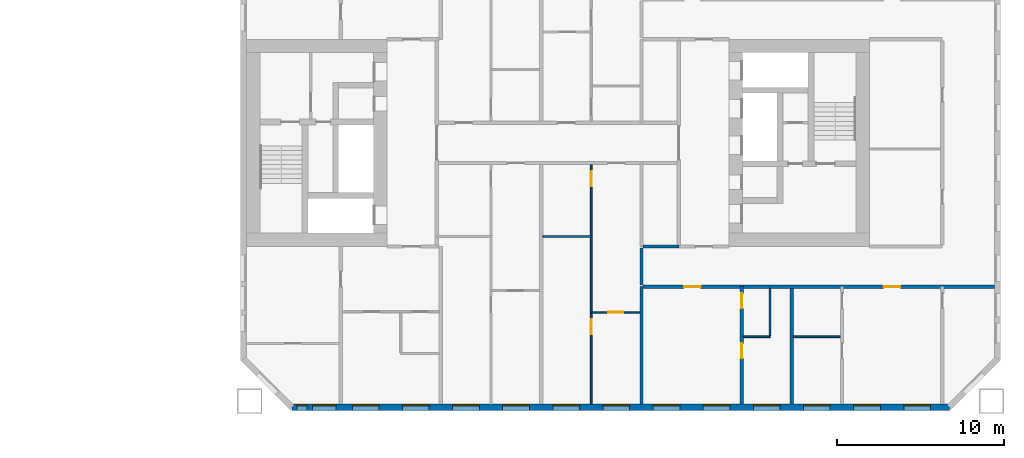
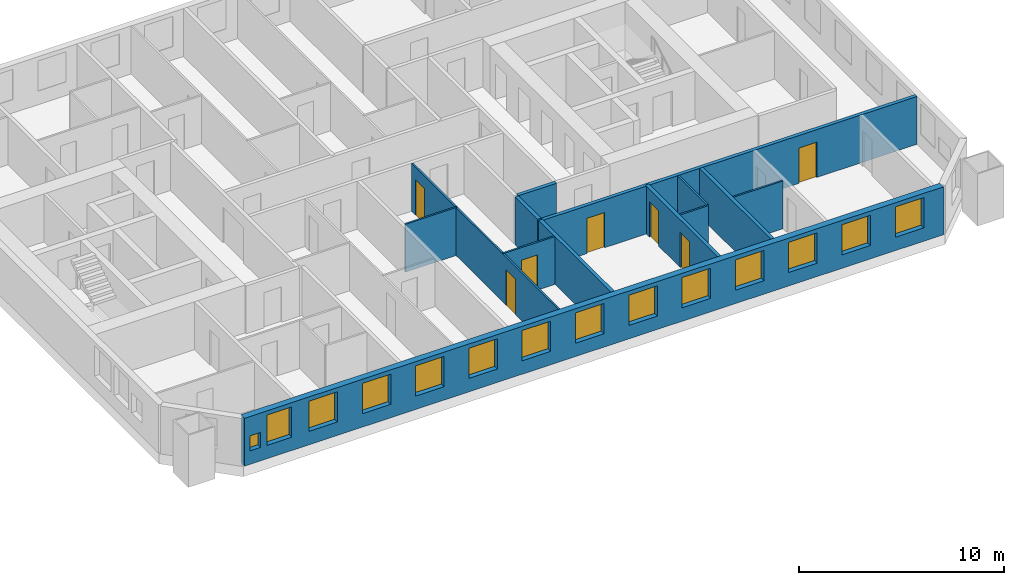
# One storey, part 11 of 17: 14 windows, 13 walls, 7 doors, 21 openings.
"""IFC4 building model written with IfcOpenShell, lengths in metres."""

import ifcopenshell
import ifcopenshell.guid

model = None  # the IFC model being written
_history = None  # IfcOwnerHistory: only IFC2X3 demands one
_inside = {}  # id of a spatial element -> (the spatial element, [elements in it])
_under = {}  # id of a project, library or spatial element -> (it, [spatial elements below it])
_declared = {}  # id of a project -> (the project, [libraries it declares])
_typed = {}  # id of a type object -> (the type object, [elements of that type])
_made_of = {}  # id of a material, layer set ... -> (it, [elements and type objects made of it])


def new_model(schema):
    """Start an empty IFC model of exactly this schema.

    Asked for "IFC4X3", IfcOpenShell would pick the latest addendum, in which some entities
    have other attributes; the version numbers below select the first issue.
    IFC2X3 requires an IfcOwnerHistory on every rooted entity: one is made here for all.
    """
    global model, _history
    if schema == "IFC4X3":
        model = ifcopenshell.file(schema_version=(4, 3, 0, 0))
    else:
        model = ifcopenshell.file(schema=schema)
    _inside.clear()
    _under.clear()
    _declared.clear()
    _typed.clear()
    _made_of.clear()
    _history = None
    if model.schema == "IFC2X3":
        org = make("IfcOrganization", Name="unknown")
        user = make(
            "IfcPersonAndOrganization",
            ThePerson=make("IfcPerson", FamilyName="unknown"),
            TheOrganization=org,
        )
        app = make(
            "IfcApplication",
            ApplicationDeveloper=org,
            Version="unknown",
            ApplicationFullName="unknown",
            ApplicationIdentifier="unknown",
        )
        _history = make(
            "IfcOwnerHistory",
            OwningUser=user,
            OwningApplication=app,
            ChangeAction="ADDED",
            CreationDate=0,
        )
    return model


def make(cls, **values):
    """One entity of the class cls with the attributes given. An attribute that is None is left unset."""
    return model.create_entity(
        cls, **{name: value for name, value in values.items() if value is not None}
    )


def rooted(cls, **values):
    """An entity with a GlobalId (a new one), such as an element, a storey or a relation."""
    return make(cls, GlobalId=ifcopenshell.guid.new(), OwnerHistory=_history, **values)


def si_unit(unit_type, name, prefix=None):
    """IfcSIUnit, for example si_unit("LENGTHUNIT", "METRE", prefix="MILLI")."""
    return make("IfcSIUnit", UnitType=unit_type, Prefix=prefix, Name=name)


def assignment(units):
    """IfcUnitAssignment: the units of a project."""
    return None if units is None else make("IfcUnitAssignment", Units=units)


def point(xyz):
    """IfcCartesianPoint."""
    return None if xyz is None else make("IfcCartesianPoint", Coordinates=xyz)


def direction(xyz):
    """IfcDirection."""
    return None if xyz is None else make("IfcDirection", DirectionRatios=xyz)


def frame(location, z_axis=None, x_axis=None):
    """IfcAxis2Placement3D, a coordinate frame: its origin and axes. An axis left out is left unset."""
    return make(
        "IfcAxis2Placement3D",
        Location=point(location),
        Axis=direction(z_axis),
        RefDirection=direction(x_axis),
    )


def frame_2d(location, x_axis=None):
    """IfcAxis2Placement2D, a coordinate frame in the plane: its origin and x axis."""
    return make(
        "IfcAxis2Placement2D", Location=point(location), RefDirection=direction(x_axis)
    )


def origin():
    """The frame at (0, 0, 0) with its axes left unset."""
    return frame((0.0, 0.0, 0.0))


def place(relative_to, where):
    """IfcLocalPlacement: puts the frame where relative to a parent placement (None: the world)."""
    return make(
        "IfcLocalPlacement", PlacementRelTo=relative_to, RelativePlacement=where
    )


def context(
    kind, dimensions, precision=None, world=None, true_north=None, identifier=None
):
    """IfcGeometricRepresentationContext, for example the 3D "Model" context."""
    return make(
        "IfcGeometricRepresentationContext",
        ContextIdentifier=identifier,
        ContextType=kind,
        CoordinateSpaceDimension=dimensions,
        Precision=precision,
        WorldCoordinateSystem=world,
        TrueNorth=true_north,
    )


def subcontext(parent, identifier, kind, view, scale=None):
    """IfcGeometricRepresentationSubContext, for example "Body" below "Model"."""
    return make(
        "IfcGeometricRepresentationSubContext",
        ContextIdentifier=identifier,
        ContextType=kind,
        ParentContext=parent,
        TargetScale=scale,
        TargetView=view,
    )


def project(units=None, contexts=None):
    """IfcProject with its units and contexts."""
    return rooted(
        "IfcProject",
        Name="project",
        RepresentationContexts=contexts,
        UnitsInContext=assignment(units),
    )


def spatial(cls, under=None, at=None, **own):
    """A site, building, storey or space (cls), placed at a placement, below another one or the project."""
    s = rooted(cls, ObjectPlacement=at, **own)
    if under is not None:
        _under.setdefault(under.id(), (under, []))[1].append(s)
    return s


def profile(cls, at=None, kind="AREA", **sizes):
    """A parametric profile (cls). Its sizes go by their IFC names, for example OverallWidth=200.0."""
    return make(cls, ProfileType=kind, Position=at, **sizes)


def rectangle(**sizes):
    """IfcRectangleProfileDef."""
    return profile("IfcRectangleProfileDef", **sizes)


def extrude(swept, where, along, depth):
    """IfcExtrudedAreaSolid: the profile swept, set in the frame where, extruded along a direction by depth."""
    return make(
        "IfcExtrudedAreaSolid",
        SweptArea=swept,
        Position=where,
        ExtrudedDirection=direction(along),
        Depth=depth,
    )


def shape(context_of_items, identifier, shape_type, items):
    """IfcShapeRepresentation: the items that make up one representation, for example the "Body"."""
    return make(
        "IfcShapeRepresentation",
        ContextOfItems=context_of_items,
        RepresentationIdentifier=identifier,
        RepresentationType=shape_type,
        Items=items,
    )


def material(Name=None, Category=None):
    """IfcMaterial."""
    return make("IfcMaterial", Name=Name, Category=Category)


def layer(
    of_material, thickness, ventilated=None, Name=None, Category=None, Priority=None
):
    """IfcMaterialLayer: one layer of a wall or slab, of a material (None: an air gap)."""
    return make(
        "IfcMaterialLayer",
        Material=of_material,
        LayerThickness=thickness,
        IsVentilated=ventilated,
        Name=Name,
        Category=Category,
        Priority=Priority,
    )


def layer_set(layers, Name=None):
    """IfcMaterialLayerSet."""
    return make("IfcMaterialLayerSet", MaterialLayers=layers, LayerSetName=Name)


def made_of(thing, what):
    """Note that an element or type object is made of a material, layer set ...; save() writes the relation."""
    if what is not None:
        _made_of.setdefault(what.id(), (what, []))[1].append(thing)
    return thing


def type_object(cls, material=None, **own):
    """A type object (cls), such as IfcWallType, which elements share."""
    return made_of(rooted(cls, **own), material)


def element(
    cls,
    number,
    at=None,
    inside=None,
    cuts=None,
    type_object=None,
    material=None,
    context=None,
    identifier="Body",
    shape_type=None,
    held_by="IfcProductDefinitionShape",
    body=None,
    shapes=None,
    **own,
):
    """One element of the class cls, such as IfcWall. Its Tag is "e" and its number.

    at: its placement. inside: the storey or other place that contains it. cuts: it is an
    opening in that element (IfcRelVoidsElement). A single representation is given by context,
    identifier, shape_type and body (its items); several are given by shapes. held_by: the class
    of the entity that holds the representations. save() writes the other relations.
    """
    e = rooted(cls, Tag="e%d" % number, ObjectPlacement=at, **own)
    if body is not None:
        shapes = [shape(context, identifier, shape_type, body)]
    if shapes is not None:
        e.Representation = make(held_by, Representations=shapes)
    if inside is not None:
        _inside.setdefault(inside.id(), (inside, []))[1].append(e)
    if cuts is not None:
        rooted(
            "IfcRelVoidsElement", RelatingBuildingElement=cuts, RelatedOpeningElement=e
        )
    if type_object is not None:
        _typed.setdefault(type_object.id(), (type_object, []))[1].append(e)
    return made_of(e, material)


def fill(opening, filler):
    """IfcRelFillsElement: the door or window that sits in an opening."""
    return rooted(
        "IfcRelFillsElement",
        RelatingOpeningElement=opening,
        RelatedBuildingElement=filler,
    )


def aggregate(whole, parts):
    """IfcRelAggregates: a whole, such as a stair, and the parts it consists of."""
    return rooted("IfcRelAggregates", RelatingObject=whole, RelatedObjects=parts)


def save(model, path):
    """Write the relations noted so far, then the file.

    IfcRelAggregates (storeys below a building ...), IfcRelContainedInSpatialStructure (elements
    in a storey), IfcRelDefinesByType, IfcRelAssociatesMaterial and IfcRelDeclares: one each for
    every whole, place, type object, material and project.
    """
    for whole, parts in _under.values():
        aggregate(whole, parts)
    for where, things in _inside.values():
        rooted(
            "IfcRelContainedInSpatialStructure",
            RelatedElements=things,
            RelatingStructure=where,
        )
    for kind, things in _typed.values():
        rooted("IfcRelDefinesByType", RelatedObjects=things, RelatingType=kind)
    for what, things in _made_of.values():
        rooted("IfcRelAssociatesMaterial", RelatedObjects=things, RelatingMaterial=what)
    for by, libraries in _declared.values():
        rooted("IfcRelDeclares", RelatingContext=by, RelatedDefinitions=libraries)
    model.write(path)


model = new_model("IFC4")

# Units and contexts
model_context = context("Model", 3, precision=1e-05, world=origin(), true_north=direction((0.0, 1.0)))
body_context = subcontext(model_context, "Body", "Model", "MODEL_VIEW")
ifc_project = project(units=[si_unit("LENGTHUNIT", "METRE"), si_unit("AREAUNIT", "SQUARE_METRE"), si_unit("VOLUMEUNIT", "CUBIC_METRE"), si_unit("PLANEANGLEUNIT", "RADIAN"), si_unit("MASSUNIT", "GRAM", prefix="KILO")], contexts=[model_context])

# Site, building, storey
site_placement = place(None, origin())
site = spatial("IfcSite", under=ifc_project, at=site_placement, CompositionType="ELEMENT")
building_placement = place(site_placement, origin())
building = spatial("IfcBuilding", under=site, at=building_placement, Name="Tuart Gate Housing", CompositionType="ELEMENT")
storey_placement = place(building_placement, frame((0.0, 0.0, 44.300048828125)))
storey = spatial("IfcBuildingStorey", under=building, at=storey_placement, Name="L11", CompositionType="ELEMENT", Elevation=44.300048828125)

# Wall, openings, windows
ifc_material_1 = material(Name="Brick", Category="masonry")
ifc_layer_1 = layer(ifc_material_1, 0.360107421875)
ifc_layer_set_1 = layer_set([ifc_layer_1], Name="Brick pier and spandrel wall 360")
wall_type_1 = type_object("IfcWallType", Name="Brick pier and spandrel wall 360", PredefinedType="STANDARD", material=ifc_layer_set_1)
wall_1_placement = place(storey_placement, frame((134.07470703125, 54.179931640625, 0.0), z_axis=(0.0, 0.0, 1.0), x_axis=(1.0, 0.0, 0.0)))
wall_1 = element("IfcWall", 1, at=wall_1_placement, inside=storey, type_object=wall_type_1, Name="External wall B-S L11", PredefinedType="STANDARD", context=body_context, shape_type="SweptSolid", body=[
    extrude(rectangle(XDim=39.350830078125, YDim=0.360107421875, at=frame_2d((19.67529296875, 0.0))), origin(), (0.0, 0.0, 1.0), 2.849853515625),
])
opening_1_placement = place(wall_1_placement, frame((0.300048828125, 0.0, 0.800048828125)))
opening_1 = element("IfcOpeningElement", 2, at=opening_1_placement, cuts=wall_1, Name="Opening W1W", PredefinedType="OPENING", context=body_context, shape_type="SweptSolid", body=[
    extrude(rectangle(XDim=0.60009765625, YDim=0.89990234375, at=frame_2d((0.300048828125, 0.449951171875))), frame((0.0, 0.18994140625, 0.0), z_axis=(0.0, -1.0, 0.0), x_axis=(1.0, 0.0, 0.0)), (0.0, 0.0, 1.0), 0.380126953125),
])
opening_2_placement = place(wall_1_placement, frame((3.62548828125, 0.0, 0.800048828125)))
opening_2 = element("IfcOpeningElement", 3, at=opening_2_placement, cuts=wall_1, Name="Opening W1", PredefinedType="OPENING", context=body_context, shape_type="SweptSolid", body=[
    extrude(rectangle(XDim=1.60009765625, YDim=1.800048828125, at=frame_2d((0.800048828125, 0.89990234375))), frame((0.0, 0.18994140625, 0.0), z_axis=(0.0, -1.0, 0.0), x_axis=(1.0, 0.0, 0.0)), (0.0, 0.0, 1.0), 0.380126953125),
])
opening_3_placement = place(wall_1_placement, frame((6.62548828125, 0.0, 0.800048828125)))
opening_3 = element("IfcOpeningElement", 4, at=opening_3_placement, cuts=wall_1, Name="Opening W1", PredefinedType="OPENING", context=body_context, shape_type="SweptSolid", body=[
    extrude(rectangle(XDim=1.60009765625, YDim=1.800048828125, at=frame_2d((0.800048828125, 0.89990234375))), frame((0.0, 0.18994140625, 0.0), z_axis=(0.0, -1.0, 0.0), x_axis=(1.0, 0.0, 0.0)), (0.0, 0.0, 1.0), 0.380126953125),
])
opening_4_placement = place(wall_1_placement, frame((9.62548828125, 0.0, 0.800048828125)))
opening_4 = element("IfcOpeningElement", 5, at=opening_4_placement, cuts=wall_1, Name="Opening W1", PredefinedType="OPENING", context=body_context, shape_type="SweptSolid", body=[
    extrude(rectangle(XDim=1.60009765625, YDim=1.800048828125, at=frame_2d((0.800048828125, 0.89990234375))), frame((0.0, 0.18994140625, 0.0), z_axis=(0.0, -1.0, 0.0), x_axis=(1.0, 0.0, 0.0)), (0.0, 0.0, 1.0), 0.380126953125),
])
opening_5_placement = place(wall_1_placement, frame((12.62548828125, 0.0, 0.800048828125)))
opening_5 = element("IfcOpeningElement", 6, at=opening_5_placement, cuts=wall_1, Name="Opening W1", PredefinedType="OPENING", context=body_context, shape_type="SweptSolid", body=[
    extrude(rectangle(XDim=1.60009765625, YDim=1.800048828125, at=frame_2d((0.800048828125, 0.89990234375))), frame((0.0, 0.18994140625, 0.0), z_axis=(0.0, -1.0, 0.0), x_axis=(1.0, 0.0, 0.0)), (0.0, 0.0, 1.0), 0.380126953125),
])
opening_6_placement = place(wall_1_placement, frame((15.62548828125, 0.0, 0.800048828125)))
opening_6 = element("IfcOpeningElement", 7, at=opening_6_placement, cuts=wall_1, Name="Opening W1", PredefinedType="OPENING", context=body_context, shape_type="SweptSolid", body=[
    extrude(rectangle(XDim=1.60009765625, YDim=1.800048828125, at=frame_2d((0.800048828125, 0.89990234375))), frame((0.0, 0.18994140625, 0.0), z_axis=(0.0, -1.0, 0.0), x_axis=(1.0, 0.0, 0.0)), (0.0, 0.0, 1.0), 0.380126953125),
])
opening_7_placement = place(wall_1_placement, frame((18.62548828125, 0.0, 0.800048828125)))
opening_7 = element("IfcOpeningElement", 8, at=opening_7_placement, cuts=wall_1, Name="Opening W1", PredefinedType="OPENING", context=body_context, shape_type="SweptSolid", body=[
    extrude(rectangle(XDim=1.60009765625, YDim=1.800048828125, at=frame_2d((0.800048828125, 0.89990234375))), frame((0.0, 0.18994140625, 0.0), z_axis=(0.0, -1.0, 0.0), x_axis=(1.0, 0.0, 0.0)), (0.0, 0.0, 1.0), 0.380126953125),
])
opening_8_placement = place(wall_1_placement, frame((21.62548828125, 0.0, 0.800048828125)))
opening_8 = element("IfcOpeningElement", 9, at=opening_8_placement, cuts=wall_1, Name="Opening W1", PredefinedType="OPENING", context=body_context, shape_type="SweptSolid", body=[
    extrude(rectangle(XDim=1.60009765625, YDim=1.800048828125, at=frame_2d((0.800048828125, 0.89990234375))), frame((0.0, 0.18994140625, 0.0), z_axis=(0.0, -1.0, 0.0), x_axis=(1.0, 0.0, 0.0)), (0.0, 0.0, 1.0), 0.380126953125),
])
opening_9_placement = place(wall_1_placement, frame((24.62548828125, 0.0, 0.800048828125)))
opening_9 = element("IfcOpeningElement", 10, at=opening_9_placement, cuts=wall_1, Name="Opening W1", PredefinedType="OPENING", context=body_context, shape_type="SweptSolid", body=[
    extrude(rectangle(XDim=1.60009765625, YDim=1.800048828125, at=frame_2d((0.800048828125, 0.89990234375))), frame((0.0, 0.18994140625, 0.0), z_axis=(0.0, -1.0, 0.0), x_axis=(1.0, 0.0, 0.0)), (0.0, 0.0, 1.0), 0.380126953125),
])
opening_10_placement = place(wall_1_placement, frame((27.62548828125, 0.0, 0.800048828125)))
opening_10 = element("IfcOpeningElement", 11, at=opening_10_placement, cuts=wall_1, Name="Opening W1", PredefinedType="OPENING", context=body_context, shape_type="SweptSolid", body=[
    extrude(rectangle(XDim=1.60009765625, YDim=1.800048828125, at=frame_2d((0.800048828125, 0.89990234375))), frame((0.0, 0.18994140625, 0.0), z_axis=(0.0, -1.0, 0.0), x_axis=(1.0, 0.0, 0.0)), (0.0, 0.0, 1.0), 0.380126953125),
])
opening_11_placement = place(wall_1_placement, frame((30.62548828125, 0.0, 0.800048828125)))
opening_11 = element("IfcOpeningElement", 12, at=opening_11_placement, cuts=wall_1, Name="Opening W1", PredefinedType="OPENING", context=body_context, shape_type="SweptSolid", body=[
    extrude(rectangle(XDim=1.60009765625, YDim=1.800048828125, at=frame_2d((0.800048828125, 0.89990234375))), frame((0.0, 0.18994140625, 0.0), z_axis=(0.0, -1.0, 0.0), x_axis=(1.0, 0.0, 0.0)), (0.0, 0.0, 1.0), 0.380126953125),
])
opening_12_placement = place(wall_1_placement, frame((33.62548828125, 0.0, 0.800048828125)))
opening_12 = element("IfcOpeningElement", 13, at=opening_12_placement, cuts=wall_1, Name="Opening W1", PredefinedType="OPENING", context=body_context, shape_type="SweptSolid", body=[
    extrude(rectangle(XDim=1.60009765625, YDim=1.800048828125, at=frame_2d((0.800048828125, 0.89990234375))), frame((0.0, 0.18994140625, 0.0), z_axis=(0.0, -1.0, 0.0), x_axis=(1.0, 0.0, 0.0)), (0.0, 0.0, 1.0), 0.380126953125),
])
opening_13_placement = place(wall_1_placement, frame((36.62548828125, 0.0, 0.800048828125)))
opening_13 = element("IfcOpeningElement", 14, at=opening_13_placement, cuts=wall_1, Name="Opening W1", PredefinedType="OPENING", context=body_context, shape_type="SweptSolid", body=[
    extrude(rectangle(XDim=1.60009765625, YDim=1.800048828125, at=frame_2d((0.800048828125, 0.89990234375))), frame((0.0, 0.18994140625, 0.0), z_axis=(0.0, -1.0, 0.0), x_axis=(1.0, 0.0, 0.0)), (0.0, 0.0, 1.0), 0.380126953125),
])
opening_14_placement = place(wall_1_placement, frame((1.25, 0.0, 0.800048828125)))
opening_14 = element("IfcOpeningElement", 15, at=opening_14_placement, cuts=wall_1, Name="Opening W1A", PredefinedType="OPENING", context=body_context, shape_type="SweptSolid", body=[
    extrude(rectangle(XDim=1.39990234375, YDim=1.800048828125, at=frame_2d((0.699951171875, 0.89990234375))), frame((0.0, 0.18994140625, 0.0), z_axis=(0.0, -1.0, 0.0), x_axis=(1.0, 0.0, 0.0)), (0.0, 0.0, 1.0), 0.380126953125),
])
ifc_material_2 = material(Name="Aluminium frame with clear glass", Category="aluminium")
window_type_1 = type_object("IfcWindowType", Name="Punched window 1400 x 1800", PartitioningType="SINGLE_PANEL", PredefinedType="WINDOW", material=ifc_material_2)
window_1_placement = place(opening_14_placement, origin())
window_1 = element("IfcWindow", 16, at=window_1_placement, inside=storey, type_object=window_type_1, Name="Window W1A", OverallHeight=1.800048828125, OverallWidth=1.39990234375, PartitioningType="SINGLE_PANEL", PredefinedType="WINDOW", context=body_context, shape_type="SweptSolid", body=[
    extrude(rectangle(XDim=1.39990234375, YDim=1.800048828125, at=frame_2d((0.699951171875, 0.89990234375))), frame((0.0, 0.150146484375, 0.0), z_axis=(0.0, -1.0, 0.0), x_axis=(1.0, 0.0, 0.0)), (0.0, 0.0, 1.0), 0.06005859375),
])
fill(opening_14, window_1)
ifc_material_3 = material(Name="Aluminium frame with clear glass", Category="aluminium")
window_type_2 = type_object("IfcWindowType", Name="Punched window 1600 x 1800", PartitioningType="SINGLE_PANEL", PredefinedType="WINDOW", material=ifc_material_3)
window_2_placement = place(opening_2_placement, origin())
window_2 = element("IfcWindow", 17, at=window_2_placement, inside=storey, type_object=window_type_2, Name="Window W1", OverallHeight=1.800048828125, OverallWidth=1.60009765625, PartitioningType="SINGLE_PANEL", PredefinedType="WINDOW", context=body_context, shape_type="SweptSolid", body=[
    extrude(rectangle(XDim=1.60009765625, YDim=1.800048828125, at=frame_2d((0.800048828125, 0.89990234375))), frame((0.0, 0.150146484375, 0.0), z_axis=(0.0, -1.0, 0.0), x_axis=(1.0, 0.0, 0.0)), (0.0, 0.0, 1.0), 0.06005859375),
])
fill(opening_2, window_2)
window_3_placement = place(opening_3_placement, origin())
window_3 = element("IfcWindow", 18, at=window_3_placement, inside=storey, type_object=window_type_2, Name="Window W1", OverallHeight=1.800048828125, OverallWidth=1.60009765625, PartitioningType="SINGLE_PANEL", PredefinedType="WINDOW", context=body_context, shape_type="SweptSolid", body=[
    extrude(rectangle(XDim=1.60009765625, YDim=1.800048828125, at=frame_2d((0.800048828125, 0.89990234375))), frame((0.0, 0.150146484375, 0.0), z_axis=(0.0, -1.0, 0.0), x_axis=(1.0, 0.0, 0.0)), (0.0, 0.0, 1.0), 0.06005859375),
])
fill(opening_3, window_3)
window_4_placement = place(opening_4_placement, origin())
window_4 = element("IfcWindow", 19, at=window_4_placement, inside=storey, type_object=window_type_2, Name="Window W1", OverallHeight=1.800048828125, OverallWidth=1.60009765625, PartitioningType="SINGLE_PANEL", PredefinedType="WINDOW", context=body_context, shape_type="SweptSolid", body=[
    extrude(rectangle(XDim=1.60009765625, YDim=1.800048828125, at=frame_2d((0.800048828125, 0.89990234375))), frame((0.0, 0.150146484375, 0.0), z_axis=(0.0, -1.0, 0.0), x_axis=(1.0, 0.0, 0.0)), (0.0, 0.0, 1.0), 0.06005859375),
])
fill(opening_4, window_4)
window_5_placement = place(opening_5_placement, origin())
window_5 = element("IfcWindow", 20, at=window_5_placement, inside=storey, type_object=window_type_2, Name="Window W1", OverallHeight=1.800048828125, OverallWidth=1.60009765625, PartitioningType="SINGLE_PANEL", PredefinedType="WINDOW", context=body_context, shape_type="SweptSolid", body=[
    extrude(rectangle(XDim=1.60009765625, YDim=1.800048828125, at=frame_2d((0.800048828125, 0.89990234375))), frame((0.0, 0.150146484375, 0.0), z_axis=(0.0, -1.0, 0.0), x_axis=(1.0, 0.0, 0.0)), (0.0, 0.0, 1.0), 0.06005859375),
])
fill(opening_5, window_5)
window_6_placement = place(opening_6_placement, origin())
window_6 = element("IfcWindow", 21, at=window_6_placement, inside=storey, type_object=window_type_2, Name="Window W1", OverallHeight=1.800048828125, OverallWidth=1.60009765625, PartitioningType="SINGLE_PANEL", PredefinedType="WINDOW", context=body_context, shape_type="SweptSolid", body=[
    extrude(rectangle(XDim=1.60009765625, YDim=1.800048828125, at=frame_2d((0.800048828125, 0.89990234375))), frame((0.0, 0.150146484375, 0.0), z_axis=(0.0, -1.0, 0.0), x_axis=(1.0, 0.0, 0.0)), (0.0, 0.0, 1.0), 0.06005859375),
])
fill(opening_6, window_6)
window_7_placement = place(opening_7_placement, origin())
window_7 = element("IfcWindow", 22, at=window_7_placement, inside=storey, type_object=window_type_2, Name="Window W1", OverallHeight=1.800048828125, OverallWidth=1.60009765625, PartitioningType="SINGLE_PANEL", PredefinedType="WINDOW", context=body_context, shape_type="SweptSolid", body=[
    extrude(rectangle(XDim=1.60009765625, YDim=1.800048828125, at=frame_2d((0.800048828125, 0.89990234375))), frame((0.0, 0.150146484375, 0.0), z_axis=(0.0, -1.0, 0.0), x_axis=(1.0, 0.0, 0.0)), (0.0, 0.0, 1.0), 0.06005859375),
])
fill(opening_7, window_7)
window_8_placement = place(opening_8_placement, origin())
window_8 = element("IfcWindow", 23, at=window_8_placement, inside=storey, type_object=window_type_2, Name="Window W1", OverallHeight=1.800048828125, OverallWidth=1.60009765625, PartitioningType="SINGLE_PANEL", PredefinedType="WINDOW", context=body_context, shape_type="SweptSolid", body=[
    extrude(rectangle(XDim=1.60009765625, YDim=1.800048828125, at=frame_2d((0.800048828125, 0.89990234375))), frame((0.0, 0.150146484375, 0.0), z_axis=(0.0, -1.0, 0.0), x_axis=(1.0, 0.0, 0.0)), (0.0, 0.0, 1.0), 0.06005859375),
])
fill(opening_8, window_8)
window_9_placement = place(opening_9_placement, origin())
window_9 = element("IfcWindow", 24, at=window_9_placement, inside=storey, type_object=window_type_2, Name="Window W1", OverallHeight=1.800048828125, OverallWidth=1.60009765625, PartitioningType="SINGLE_PANEL", PredefinedType="WINDOW", context=body_context, shape_type="SweptSolid", body=[
    extrude(rectangle(XDim=1.60009765625, YDim=1.800048828125, at=frame_2d((0.800048828125, 0.89990234375))), frame((0.0, 0.150146484375, 0.0), z_axis=(0.0, -1.0, 0.0), x_axis=(1.0, 0.0, 0.0)), (0.0, 0.0, 1.0), 0.06005859375),
])
fill(opening_9, window_9)
window_10_placement = place(opening_10_placement, origin())
window_10 = element("IfcWindow", 25, at=window_10_placement, inside=storey, type_object=window_type_2, Name="Window W1", OverallHeight=1.800048828125, OverallWidth=1.60009765625, PartitioningType="SINGLE_PANEL", PredefinedType="WINDOW", context=body_context, shape_type="SweptSolid", body=[
    extrude(rectangle(XDim=1.60009765625, YDim=1.800048828125, at=frame_2d((0.800048828125, 0.89990234375))), frame((0.0, 0.150146484375, 0.0), z_axis=(0.0, -1.0, 0.0), x_axis=(1.0, 0.0, 0.0)), (0.0, 0.0, 1.0), 0.06005859375),
])
fill(opening_10, window_10)
window_11_placement = place(opening_11_placement, origin())
window_11 = element("IfcWindow", 26, at=window_11_placement, inside=storey, type_object=window_type_2, Name="Window W1", OverallHeight=1.800048828125, OverallWidth=1.60009765625, PartitioningType="SINGLE_PANEL", PredefinedType="WINDOW", context=body_context, shape_type="SweptSolid", body=[
    extrude(rectangle(XDim=1.60009765625, YDim=1.800048828125, at=frame_2d((0.800048828125, 0.89990234375))), frame((0.0, 0.150146484375, 0.0), z_axis=(0.0, -1.0, 0.0), x_axis=(1.0, 0.0, 0.0)), (0.0, 0.0, 1.0), 0.06005859375),
])
fill(opening_11, window_11)
window_12_placement = place(opening_12_placement, origin())
window_12 = element("IfcWindow", 27, at=window_12_placement, inside=storey, type_object=window_type_2, Name="Window W1", OverallHeight=1.800048828125, OverallWidth=1.60009765625, PartitioningType="SINGLE_PANEL", PredefinedType="WINDOW", context=body_context, shape_type="SweptSolid", body=[
    extrude(rectangle(XDim=1.60009765625, YDim=1.800048828125, at=frame_2d((0.800048828125, 0.89990234375))), frame((0.0, 0.150146484375, 0.0), z_axis=(0.0, -1.0, 0.0), x_axis=(1.0, 0.0, 0.0)), (0.0, 0.0, 1.0), 0.06005859375),
])
fill(opening_12, window_12)
window_13_placement = place(opening_13_placement, origin())
window_13 = element("IfcWindow", 28, at=window_13_placement, inside=storey, type_object=window_type_2, Name="Window W1", OverallHeight=1.800048828125, OverallWidth=1.60009765625, PartitioningType="SINGLE_PANEL", PredefinedType="WINDOW", context=body_context, shape_type="SweptSolid", body=[
    extrude(rectangle(XDim=1.60009765625, YDim=1.800048828125, at=frame_2d((0.800048828125, 0.89990234375))), frame((0.0, 0.150146484375, 0.0), z_axis=(0.0, -1.0, 0.0), x_axis=(1.0, 0.0, 0.0)), (0.0, 0.0, 1.0), 0.06005859375),
])
fill(opening_13, window_13)
ifc_material_4 = material(Name="Aluminium frame with clear glass", Category="aluminium")
window_type_3 = type_object("IfcWindowType", Name="Punched window 600 x 900", PartitioningType="SINGLE_PANEL", PredefinedType="WINDOW", material=ifc_material_4)
window_14_placement = place(opening_1_placement, origin())
window_14 = element("IfcWindow", 29, at=window_14_placement, inside=storey, type_object=window_type_3, Name="Window W1W", OverallHeight=0.89990234375, OverallWidth=0.60009765625, PartitioningType="SINGLE_PANEL", PredefinedType="WINDOW", context=body_context, shape_type="SweptSolid", body=[
    extrude(rectangle(XDim=0.60009765625, YDim=0.89990234375, at=frame_2d((0.300048828125, 0.449951171875))), frame((0.0, 0.150146484375, 0.0), z_axis=(0.0, -1.0, 0.0), x_axis=(1.0, 0.0, 0.0)), (0.0, 0.0, 1.0), 0.06005859375),
])
fill(opening_1, window_14)

# Wall, openings, doors
ifc_material_5 = material(Name="Concrete masonry 15 MPa", Category="masonry")
ifc_layer_2 = layer(ifc_material_5, 0.199951171875)
ifc_layer_set_2 = layer_set([ifc_layer_2], Name="Corridor wall masonry 200")
wall_type_2 = type_object("IfcWallType", Name="Corridor wall masonry 200", PredefinedType="PARTITIONING", material=ifc_layer_set_2)
wall_2_placement = place(storey_placement, frame((155.10009765625, 61.39990234375, 0.0), z_axis=(0.0, 0.0, 1.0), x_axis=(1.0, 0.0, 0.0)))
wall_2 = element("IfcWall", 30, at=wall_2_placement, inside=storey, type_object=wall_type_2, Name="Corridor wall masonry 200", PredefinedType="PARTITIONING", context=body_context, shape_type="SweptSolid", body=[
    extrude(rectangle(XDim=21.039794921875, YDim=0.199951171875, at=frame_2d((10.52001953125, 0.0))), origin(), (0.0, 0.0, 1.0), 2.849853515625),
])
opening_15_placement = place(wall_2_placement, frame((2.449951171875, 0.0, 0.0)))
opening_15 = element("IfcOpeningElement", 31, at=opening_15_placement, cuts=wall_2, Name="Opening D700", PredefinedType="OPENING", context=body_context, shape_type="SweptSolid", body=[
    extrude(rectangle(XDim=1.0, YDim=2.10009765625, at=frame_2d((0.5, 1.050048828125))), frame((0.0, 0.10986328125, 0.0), z_axis=(0.0, -1.0, 0.0), x_axis=(1.0, 0.0, 0.0)), (0.0, 0.0, 1.0), 0.219970703125),
])
opening_16_placement = place(wall_2_placement, frame((14.39990234375, 0.0, 0.0)))
opening_16 = element("IfcOpeningElement", 32, at=opening_16_placement, cuts=wall_2, Name="Opening D701", PredefinedType="OPENING", context=body_context, shape_type="SweptSolid", body=[
    extrude(rectangle(XDim=1.0, YDim=2.10009765625, at=frame_2d((0.5, 1.050048828125))), frame((0.0, 0.10986328125, 0.0), z_axis=(0.0, -1.0, 0.0), x_axis=(1.0, 0.0, 0.0)), (0.0, 0.0, 1.0), 0.219970703125),
])
ifc_material_6 = material(Name="Timber door leaf in steel frame", Category="steel")
door_type_1 = type_object("IfcDoorType", Name="Flat entrance door 1000", OperationType="SINGLE_SWING_LEFT", PredefinedType="DOOR", material=ifc_material_6)
door_1_placement = place(opening_15_placement, frame((1.0, 0.0, 0.0), z_axis=(0.0, 0.0, 1.0), x_axis=(-1.0, 0.0, 0.0)))
door_1 = element("IfcDoor", 33, at=door_1_placement, inside=storey, type_object=door_type_1, Name="Flat entrance door", OperationType="SINGLE_SWING_LEFT", OverallHeight=2.10009765625, OverallWidth=1.0, PredefinedType="DOOR", context=body_context, shape_type="SweptSolid", body=[
    extrude(rectangle(XDim=1.0, YDim=2.10009765625, at=frame_2d((0.5, 1.050048828125))), frame((0.0, 0.025146484375, 0.0), z_axis=(0.0, -1.0, 0.0), x_axis=(1.0, 0.0, 0.0)), (0.0, 0.0, 1.0), 0.050048828125),
])
fill(opening_15, door_1)
ifc_material_7 = material(Name="Timber door leaf in steel frame", Category="steel")
door_type_2 = type_object("IfcDoorType", Name="Flat entrance door 1000 RH", OperationType="SINGLE_SWING_RIGHT", PredefinedType="DOOR", material=ifc_material_7)
door_2_placement = place(opening_16_placement, frame((1.0, 0.0, 0.0), z_axis=(0.0, 0.0, 1.0), x_axis=(-1.0, 0.0, 0.0)))
door_2 = element("IfcDoor", 34, at=door_2_placement, inside=storey, type_object=door_type_2, Name="Flat entrance door", OperationType="SINGLE_SWING_RIGHT", OverallHeight=2.10009765625, OverallWidth=1.0, PredefinedType="DOOR", context=body_context, shape_type="SweptSolid", body=[
    extrude(rectangle(XDim=1.0, YDim=2.10009765625, at=frame_2d((0.5, 1.050048828125))), frame((0.0, 0.025146484375, 0.0), z_axis=(0.0, -1.0, 0.0), x_axis=(1.0, 0.0, 0.0)), (0.0, 0.0, 1.0), 0.050048828125),
])
fill(opening_16, door_2)

# Walls
wall_3_placement = place(storey_placement, frame((155.10009765625, 63.800048828125, 0.0), z_axis=(0.0, 0.0, 1.0), x_axis=(1.0, 0.0, 0.0)))
element("IfcWall", 35, at=wall_3_placement, inside=storey, type_object=wall_type_2, Name="Corridor wall masonry 200", PredefinedType="PARTITIONING", context=body_context, shape_type="SweptSolid", body=[
    extrude(rectangle(XDim=2.139892578125, YDim=0.199951171875, at=frame_2d((1.06982421875, 0.0))), origin(), (0.0, 0.0, 1.0), 2.849853515625),
])
wall_4_placement = place(storey_placement, frame((155.0, 61.5, 0.0), z_axis=(0.0, 0.0, 1.0), x_axis=(0.0, 1.0, 0.0)))
element("IfcWall", 36, at=wall_4_placement, inside=storey, type_object=wall_type_2, Name="Corridor wall masonry 200", PredefinedType="PARTITIONING", context=body_context, shape_type="SweptSolid", body=[
    extrude(rectangle(XDim=2.199951171875, YDim=0.199951171875, at=frame_2d((1.10009765625, 0.0))), origin(), (0.0, 0.0, 1.0), 2.849853515625),
])
ifc_material_8 = material(Name="Gypsum board on steel studs", Category="steel")
ifc_layer_3 = layer(ifc_material_8, 0.10009765625)
ifc_layer_set_3 = layer_set([ifc_layer_3], Name="Partition 100")
wall_type_3 = type_object("IfcWallType", Name="Partition 100", PredefinedType="PARTITIONING", material=ifc_layer_set_3)
wall_5_placement = place(storey_placement, frame((161.10009765625, 58.39990234375, 0.0), z_axis=(0.0, 0.0, 1.0), x_axis=(1.0, 0.0, 0.0)))
element("IfcWall", 37, at=wall_5_placement, inside=storey, type_object=wall_type_3, Name="Partition 100", PredefinedType="PARTITIONING", context=body_context, shape_type="SweptSolid", body=[
    extrude(rectangle(XDim=1.599853515625, YDim=0.10009765625, at=frame_2d((0.7998046875, 0.0))), origin(), (0.0, 0.0, 1.0), 2.849853515625),
])
wall_6_placement = place(storey_placement, frame((164.10009765625, 58.39990234375, 0.0), z_axis=(0.0, 0.0, 1.0), x_axis=(1.0, 0.0, 0.0)))
element("IfcWall", 38, at=wall_6_placement, inside=storey, type_object=wall_type_3, Name="Partition 100", PredefinedType="PARTITIONING", context=body_context, shape_type="SweptSolid", body=[
    extrude(rectangle(XDim=2.7998046875, YDim=0.10009765625, at=frame_2d((1.39990234375, 0.0))), origin(), (0.0, 0.0, 1.0), 2.849853515625),
])

# Wall, opening, door
wall_7_placement = place(storey_placement, frame((152.0, 59.860107421875, 0.0), z_axis=(0.0, 0.0, 1.0), x_axis=(1.0, 0.0, 0.0)))
wall_7 = element("IfcWall", 39, at=wall_7_placement, inside=storey, type_object=wall_type_3, Name="Partition 100", PredefinedType="PARTITIONING", context=body_context, shape_type="SweptSolid", body=[
    extrude(rectangle(XDim=2.89990234375, YDim=0.10009765625, at=frame_2d((1.449951171875, 0.0))), origin(), (0.0, 0.0, 1.0), 2.849853515625),
])
opening_17_placement = place(wall_7_placement, frame((1.0, 0.0, 0.0)))
opening_17 = element("IfcOpeningElement", 40, at=opening_17_placement, cuts=wall_7, Name="Opening D705", PredefinedType="OPENING", context=body_context, shape_type="SweptSolid", body=[
    extrude(rectangle(XDim=0.89990234375, YDim=2.10009765625, at=frame_2d((0.449951171875, 1.050048828125))), frame((0.0, 0.06005859375, 0.0), z_axis=(0.0, -1.0, 0.0), x_axis=(1.0, 0.0, 0.0)), (0.0, 0.0, 1.0), 0.1201171875),
])
ifc_material_9 = material(Name="Timber door leaf in steel frame", Category="steel")
door_type_3 = type_object("IfcDoorType", Name="Internal door 900", OperationType="SINGLE_SWING_LEFT", PredefinedType="DOOR", material=ifc_material_9)
door_3_placement = place(opening_17_placement, origin())
door_3 = element("IfcDoor", 41, at=door_3_placement, inside=storey, type_object=door_type_3, Name="Internal door", OperationType="SINGLE_SWING_LEFT", OverallHeight=2.10009765625, OverallWidth=0.89990234375, PredefinedType="DOOR", context=body_context, shape_type="SweptSolid", body=[
    extrude(rectangle(XDim=0.89990234375, YDim=2.10009765625, at=frame_2d((0.449951171875, 1.050048828125))), frame((0.0, 0.02490234375, 0.0), z_axis=(0.0, -1.0, 0.0), x_axis=(1.0, 0.0, 0.0)), (0.0, 0.0, 1.0), 0.050048828125),
])
fill(opening_17, door_3)

# Wall
wall_8_placement = place(storey_placement, frame((149.10009765625, 64.39990234375, 0.0), z_axis=(0.0, 0.0, 1.0), x_axis=(1.0, 0.0, 0.0)))
element("IfcWall", 42, at=wall_8_placement, inside=storey, type_object=wall_type_3, Name="Partition 100", PredefinedType="PARTITIONING", context=body_context, shape_type="SweptSolid", body=[
    extrude(rectangle(XDim=2.89990234375, YDim=0.10009765625, at=frame_2d((1.449951171875, 0.0))), origin(), (0.0, 0.0, 1.0), 2.849853515625),
])

# Wall, openings, doors
wall_9_placement = place(storey_placement, frame((152.0, 54.360107421875, 0.0), z_axis=(0.0, 0.0, 1.0), x_axis=(0.0, 1.0, 0.0)))
wall_9 = element("IfcWall", 43, at=wall_9_placement, inside=storey, type_object=wall_type_3, Name="Partition 100", PredefinedType="PARTITIONING", context=body_context, shape_type="SweptSolid", body=[
    extrude(rectangle(XDim=14.33984375, YDim=0.10009765625, at=frame_2d((7.169921875, 0.0))), origin(), (0.0, 0.0, 1.0), 2.849853515625),
])
opening_18_placement = place(wall_9_placement, frame((4.199951171875, 0.0, 0.0)))
opening_18 = element("IfcOpeningElement", 44, at=opening_18_placement, cuts=wall_9, Name="Opening D699", PredefinedType="OPENING", context=body_context, shape_type="SweptSolid", body=[
    extrude(rectangle(XDim=0.89990234375, YDim=2.10009765625, at=frame_2d((0.449951171875, 1.050048828125))), frame((0.0, 0.06005859375, 0.0), z_axis=(0.0, -1.0, 0.0), x_axis=(1.0, 0.0, 0.0)), (0.0, 0.0, 1.0), 0.1201171875),
])
opening_19_placement = place(wall_9_placement, frame((13.0400390625, 0.0, 0.0)))
opening_19 = element("IfcOpeningElement", 45, at=opening_19_placement, cuts=wall_9, Name="Opening D698", PredefinedType="OPENING", context=body_context, shape_type="SweptSolid", body=[
    extrude(rectangle(XDim=0.89990234375, YDim=2.10009765625, at=frame_2d((0.449951171875, 1.050048828125))), frame((0.0, 0.06005859375, 0.0), z_axis=(0.0, -1.0, 0.0), x_axis=(1.0, 0.0, 0.0)), (0.0, 0.0, 1.0), 0.1201171875),
])
ifc_material_10 = material(Name="Timber door leaf in steel frame", Category="steel")
door_type_4 = type_object("IfcDoorType", Name="Bathroom door 900 RH", OperationType="SINGLE_SWING_RIGHT", PredefinedType="DOOR", material=ifc_material_10)
door_4_placement = place(opening_19_placement, origin())
door_4 = element("IfcDoor", 46, at=door_4_placement, inside=storey, type_object=door_type_4, Name="Bathroom door", OperationType="SINGLE_SWING_RIGHT", OverallHeight=2.10009765625, OverallWidth=0.89990234375, PredefinedType="DOOR", context=body_context, shape_type="SweptSolid", body=[
    extrude(rectangle(XDim=0.89990234375, YDim=2.10009765625, at=frame_2d((0.449951171875, 1.050048828125))), frame((0.0, 0.02490234375, 0.0), z_axis=(0.0, -1.0, 0.0), x_axis=(1.0, 0.0, 0.0)), (0.0, 0.0, 1.0), 0.050048828125),
])
fill(opening_19, door_4)
door_5_placement = place(opening_18_placement, origin())
door_5 = element("IfcDoor", 47, at=door_5_placement, inside=storey, type_object=door_type_3, Name="Internal door", OperationType="SINGLE_SWING_LEFT", OverallHeight=2.10009765625, OverallWidth=0.89990234375, PredefinedType="DOOR", context=body_context, shape_type="SweptSolid", body=[
    extrude(rectangle(XDim=0.89990234375, YDim=2.10009765625, at=frame_2d((0.449951171875, 1.050048828125))), frame((0.0, 0.02490234375, 0.0), z_axis=(0.0, -1.0, 0.0), x_axis=(1.0, 0.0, 0.0)), (0.0, 0.0, 1.0), 0.050048828125),
])
fill(opening_18, door_5)

# Walls
wall_10_placement = place(storey_placement, frame((162.699951171875, 58.449951171875, 0.0), z_axis=(0.0, 0.0, 1.0), x_axis=(0.0, 1.0, 0.0)))
element("IfcWall", 48, at=wall_10_placement, inside=storey, type_object=wall_type_3, Name="Partition 100", PredefinedType="PARTITIONING", context=body_context, shape_type="SweptSolid", body=[
    extrude(rectangle(XDim=2.85009765625, YDim=0.10009765625, at=frame_2d((1.425048828125, 0.0))), origin(), (0.0, 0.0, 1.0), 2.849853515625),
])
ifc_material_11 = material(Name="Concrete C40", Category="concrete")
ifc_layer_4 = layer(ifc_material_11, 0.199951171875)
ifc_layer_set_4 = layer_set([ifc_layer_4], Name="Party wall concrete C40 200")
wall_type_4 = type_object("IfcWallType", Name="Party wall concrete C40 200", PredefinedType="SOLIDWALL", material=ifc_layer_set_4)
wall_11_placement = place(storey_placement, frame((155.0, 54.360107421875, 0.0), z_axis=(0.0, 0.0, 1.0), x_axis=(0.0, 1.0, 0.0)))
element("IfcWall", 49, at=wall_11_placement, inside=storey, type_object=wall_type_4, Name="Party wall concrete C40 200", PredefinedType="SOLIDWALL", context=body_context, shape_type="SweptSolid", body=[
    extrude(rectangle(XDim=7.039794921875, YDim=0.199951171875, at=frame_2d((3.52001953125, 0.0))), origin(), (0.0, 0.0, 1.0), 2.849853515625),
])

# Wall, openings, doors
wall_12_placement = place(storey_placement, frame((161.0, 54.360107421875, 0.0), z_axis=(0.0, 0.0, 1.0), x_axis=(0.0, 1.0, 0.0)))
wall_12 = element("IfcWall", 50, at=wall_12_placement, inside=storey, type_object=wall_type_4, Name="Party wall concrete C40 200", PredefinedType="SOLIDWALL", context=body_context, shape_type="SweptSolid", body=[
    extrude(rectangle(XDim=7.039794921875, YDim=0.199951171875, at=frame_2d((3.52001953125, 0.0))), origin(), (0.0, 0.0, 1.0), 2.849853515625),
])
opening_20_placement = place(wall_12_placement, frame((2.739990234375, 0.0, 0.0)))
opening_20 = element("IfcOpeningElement", 51, at=opening_20_placement, cuts=wall_12, Name="Opening D709", PredefinedType="OPENING", context=body_context, shape_type="SweptSolid", body=[
    extrude(rectangle(XDim=0.89990234375, YDim=2.10009765625, at=frame_2d((0.449951171875, 1.050048828125))), frame((0.0, 0.10986328125, 0.0), z_axis=(0.0, -1.0, 0.0), x_axis=(1.0, 0.0, 0.0)), (0.0, 0.0, 1.0), 0.219970703125),
])
opening_21_placement = place(wall_12_placement, frame((5.739990234375, 0.0, 0.0)))
opening_21 = element("IfcOpeningElement", 52, at=opening_21_placement, cuts=wall_12, Name="Opening D708", PredefinedType="OPENING", context=body_context, shape_type="SweptSolid", body=[
    extrude(rectangle(XDim=0.89990234375, YDim=2.10009765625, at=frame_2d((0.449951171875, 1.050048828125))), frame((0.0, 0.10986328125, 0.0), z_axis=(0.0, -1.0, 0.0), x_axis=(1.0, 0.0, 0.0)), (0.0, 0.0, 1.0), 0.219970703125),
])
ifc_material_12 = material(Name="Timber door leaf in steel frame", Category="steel")
door_type_5 = type_object("IfcDoorType", Name="Bathroom door 900", OperationType="SINGLE_SWING_LEFT", PredefinedType="DOOR", material=ifc_material_12)
door_6_placement = place(opening_21_placement, frame((0.89990234375, 0.0, 0.0), z_axis=(0.0, 0.0, 1.0), x_axis=(-1.0, 0.0, 0.0)))
door_6 = element("IfcDoor", 53, at=door_6_placement, inside=storey, type_object=door_type_5, Name="Bathroom door", OperationType="SINGLE_SWING_LEFT", OverallHeight=2.10009765625, OverallWidth=0.89990234375, PredefinedType="DOOR", context=body_context, shape_type="SweptSolid", body=[
    extrude(rectangle(XDim=0.89990234375, YDim=2.10009765625, at=frame_2d((0.449951171875, 1.050048828125))), frame((0.0, 0.025146484375, 0.0), z_axis=(0.0, -1.0, 0.0), x_axis=(1.0, 0.0, 0.0)), (0.0, 0.0, 1.0), 0.050048828125),
])
fill(opening_21, door_6)
door_7_placement = place(opening_20_placement, frame((0.89990234375, 0.0, 0.0), z_axis=(0.0, 0.0, 1.0), x_axis=(-1.0, 0.0, 0.0)))
door_7 = element("IfcDoor", 54, at=door_7_placement, inside=storey, type_object=door_type_3, Name="Internal door", OperationType="SINGLE_SWING_LEFT", OverallHeight=2.10009765625, OverallWidth=0.89990234375, PredefinedType="DOOR", context=body_context, shape_type="SweptSolid", body=[
    extrude(rectangle(XDim=0.89990234375, YDim=2.10009765625, at=frame_2d((0.449951171875, 1.050048828125))), frame((0.0, 0.025146484375, 0.0), z_axis=(0.0, -1.0, 0.0), x_axis=(1.0, 0.0, 0.0)), (0.0, 0.0, 1.0), 0.050048828125),
])
fill(opening_20, door_7)

# Wall
ifc_material_13 = material(Name="Concrete masonry 15 MPa", Category="masonry")
ifc_layer_5 = layer(ifc_material_13, 0.199951171875)
ifc_layer_set_5 = layer_set([ifc_layer_5], Name="Party wall masonry 200")
wall_type_5 = type_object("IfcWallType", Name="Party wall masonry 200", PredefinedType="PARTITIONING", material=ifc_layer_set_5)
wall_13_placement = place(storey_placement, frame((164.0, 54.360107421875, 0.0), z_axis=(0.0, 0.0, 1.0), x_axis=(0.0, 1.0, 0.0)))
element("IfcWall", 55, at=wall_13_placement, inside=storey, type_object=wall_type_5, Name="Party wall masonry 200", PredefinedType="PARTITIONING", context=body_context, shape_type="SweptSolid", body=[
    extrude(rectangle(XDim=6.93994140625, YDim=0.199951171875, at=frame_2d((3.469970703125, 0.0))), origin(), (0.0, 0.0, 1.0), 2.849853515625),
])

save(model, "model.ifc")
